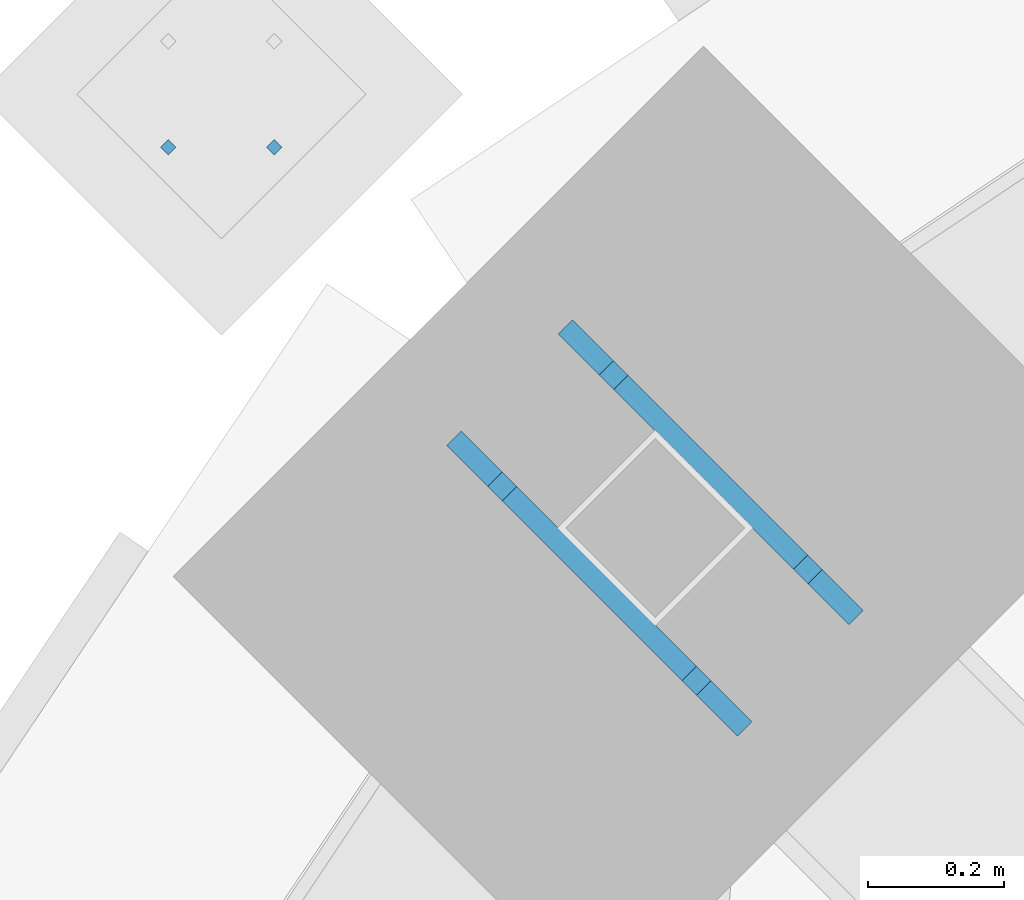
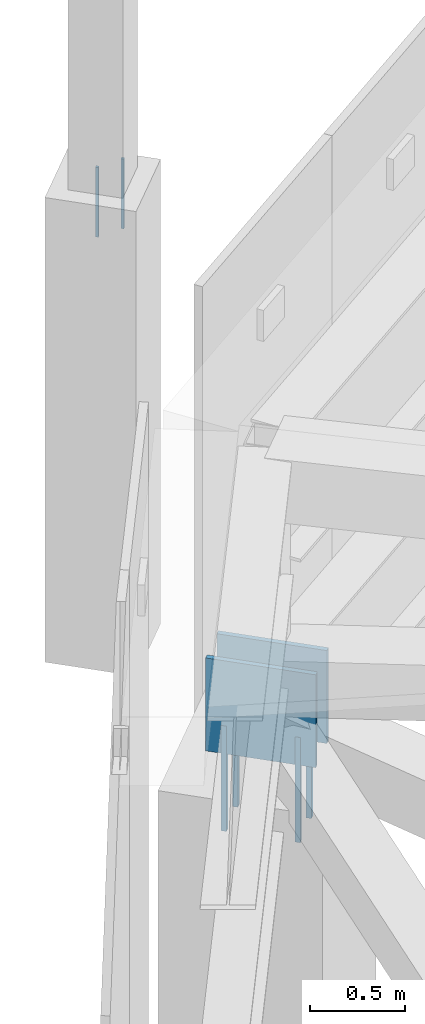
# One storey, part 219 of 278: 6 mechanical fasteners, 2 discrete accessories.
"""IFC4 building model written with IfcOpenShell, lengths in metres."""

from ifc_helpers import new_model, si_unit, direction, frame, origin, origin_2d, place, context, subcontext, project, spatial, rectangle, extrude, material, layer, layer_set, type_object, element, save


model = new_model("IFC4")

# Units and contexts
model_context = context("Model", 3, precision=1e-05, world=origin(), true_north=direction((0.0, 1.0)))
body_context = subcontext(model_context, "Body", "Model", "MODEL_VIEW")
ifc_project = project(units=[si_unit("LENGTHUNIT", "METRE"), si_unit("AREAUNIT", "SQUARE_METRE"), si_unit("VOLUMEUNIT", "CUBIC_METRE"), si_unit("PLANEANGLEUNIT", "RADIAN"), si_unit("MASSUNIT", "GRAM", prefix="KILO")], contexts=[model_context])

# Site, building, storey
site_placement = place(None, origin())
site = spatial("IfcSite", under=ifc_project, at=site_placement, CompositionType="ELEMENT")
building_placement = place(site_placement, origin())
building = spatial("IfcBuilding", under=site, at=building_placement, Name="Ogive Plaza Stadium", CompositionType="ELEMENT")
storey_placement = place(building_placement, frame((0.0, 0.0, 29.0)))
storey = spatial("IfcBuildingStorey", under=building, at=storey_placement, Name="Roof", CompositionType="ELEMENT", Elevation=29.0)

# Mechanical fasteners
ifc_material_1 = material(Name="Steel ASTM A992 Grade 50", Category="steel")
mechanical_fastener_type_1 = type_object("IfcMechanicalFastenerType", Name="Anchor bolt M30 x 600", PredefinedType="ANCHORBOLT", material=ifc_material_1)
for number, where, z_axis, x_axis, name in (
    (1, (-69.57958984375, 87.916259765625, 3.0), (0.0, 0.0, 1.0), (-0.707106781187, 0.707106781187, 0.0), "ANCHOR BOLT 30 BF 1.1"),
    (2, (-69.29443359375, 87.631103515625, 3.0), (0.0, 0.0, 1.0), (-0.707106781187, 0.707106781187, 0.0), "ANCHOR BOLT 30 BF 1.2"),
    (3, (-69.416259765625, 88.07958984375, 3.0), (0.0, 0.0, 1.0), (-0.707106781187, 0.707106781187, 0.0), "ANCHOR BOLT 30 BF 2.1"),
    (4, (-69.131103515625, 87.79443359375, 3.0), (0.0, 0.0, 1.0), (-0.707106781187, 0.707106781187, 0.0), "ANCHOR BOLT 30 BF 2.2"),
):
    element("IfcMechanicalFastener", number, at=place(storey_placement, frame(where, z_axis=z_axis, x_axis=x_axis)), inside=storey, type_object=mechanical_fastener_type_1, Name=name, PredefinedType="ANCHORBOLT", context=body_context, shape_type="SweptSolid", body=[
        extrude(rectangle(XDim=0.030029296875, YDim=0.030029296875, at=origin_2d()), origin(), (0.0, 0.0, 1.0), 0.679931640625),
    ])
ifc_material_2 = material(Name="Steel ASTM A992 Grade 50", Category="steel")
mechanical_fastener_type_2 = type_object("IfcMechanicalFastenerType", Name="Spire anchor bolt M16 x 450", PredefinedType="ANCHORBOLT", material=ifc_material_2)
for number, where, z_axis, x_axis, name in (
    (5, (-69.9140625, 88.4140625, 6.7001953125), (0.0, 0.0, 1.0), (-0.707106781187, 0.707106781187, 0.0), "SPIRE ANCHOR BOLT 30 2"),
    (6, (-70.069580078125, 88.4140625, 6.7001953125), (0.0, 0.0, 1.0), (-0.707106781187, 0.707106781187, 0.0), "SPIRE ANCHOR BOLT 30 3"),
):
    element("IfcMechanicalFastener", number, at=place(storey_placement, frame(where, z_axis=z_axis, x_axis=x_axis)), inside=storey, type_object=mechanical_fastener_type_2, Name=name, PredefinedType="ANCHORBOLT", context=body_context, shape_type="SweptSolid", body=[
        extrude(rectangle(XDim=0.01611328125, YDim=0.01611328125, at=origin_2d()), origin(), (0.0, 0.0, 1.0), 0.449951171875),
    ])

# Discrete accessories
ifc_material_3 = material(Name="Steel ASTM A992 Grade 50", Category="steel")
ifc_layer = layer(ifc_material_3, 0.030029296875)
ifc_layer_set = layer_set([ifc_layer], Name="Steel ASTM A992 Grade 50")
discrete_accessory_type = type_object("IfcDiscreteAccessoryType", Name="Truss back-stay foot cleat plate 30", PredefinedType="ANCHORPLATE", material=ifc_layer_set)
for number, where, z_axis, x_axis, name in (
    (7, (-69.43701171875, 87.773681640625, 3.5), (0.0, 0.0, 1.0), (-0.707106781187, 0.707106781187, 0.0), "TRUSS BACK-STAY FOOT CLEAT PLATE 30 1"),
    (8, (-69.273681640625, 87.93701171875, 3.5), (0.0, 0.0, 1.0), (-0.707106781187, 0.707106781187, 0.0), "TRUSS BACK-STAY FOOT CLEAT PLATE 30 2"),
):
    element("IfcDiscreteAccessory", number, at=place(storey_placement, frame(where, z_axis=z_axis, x_axis=x_axis)), inside=storey, type_object=discrete_accessory_type, Name=name, PredefinedType="ANCHORPLATE", context=body_context, shape_type="SweptSolid", body=[
        extrude(rectangle(XDim=0.603271484375, YDim=0.030029296875, at=origin_2d()), origin(), (0.0, 0.0, 1.0), 0.60009765625),
    ])

save(model, "model.ifc")
